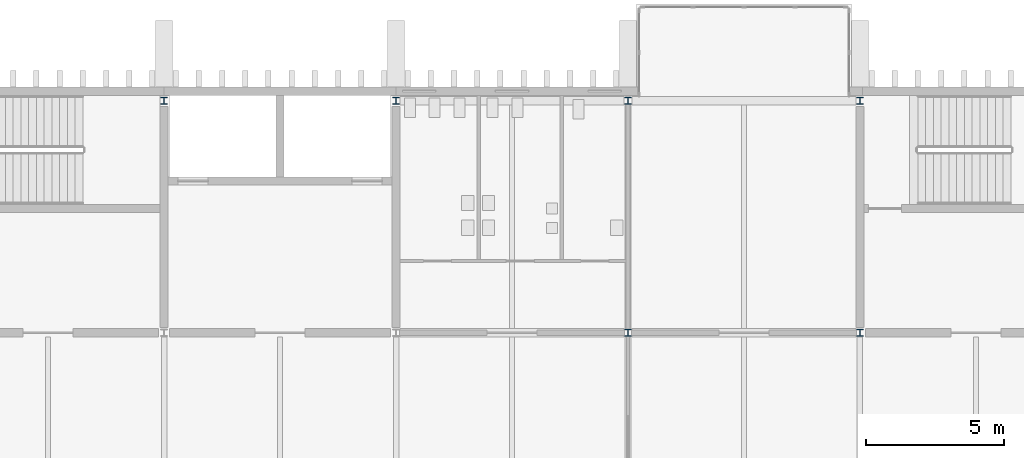
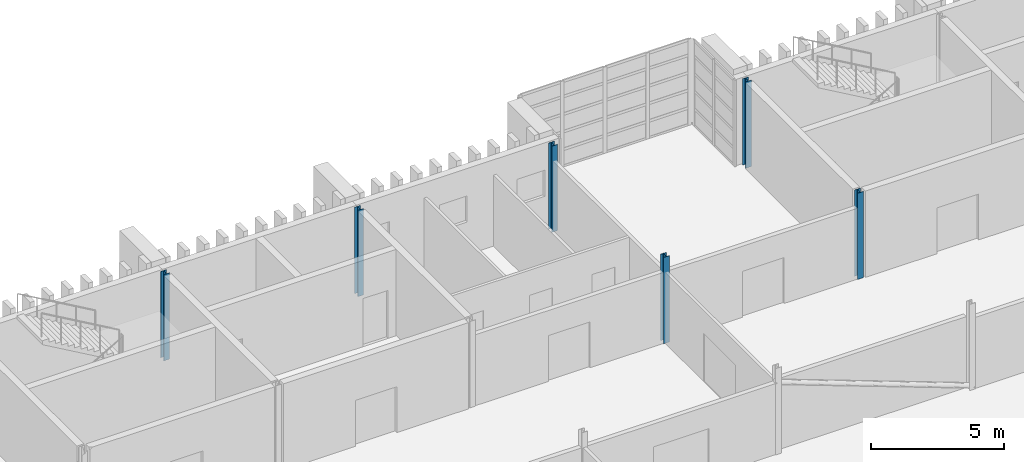
# One storey, part 9 of 88: 6 columns.
"""IFC4 building model written with IfcOpenShell, lengths in metres."""

from ifc_helpers import new_model, si_unit, direction, frame, origin, origin_2d, place, context, subcontext, project, spatial, i_section, extrude, material, material_profile, profile_set, type_object, element, save


model = new_model("IFC4")

# Units and contexts
model_context = context("Model", 3, precision=1e-05, world=origin(), true_north=direction((0.0, 1.0)))
body_context = subcontext(model_context, "Body", "Model", "MODEL_VIEW")
ifc_project = project(units=[si_unit("LENGTHUNIT", "METRE"), si_unit("AREAUNIT", "SQUARE_METRE"), si_unit("VOLUMEUNIT", "CUBIC_METRE"), si_unit("PLANEANGLEUNIT", "RADIAN"), si_unit("MASSUNIT", "GRAM", prefix="KILO")], contexts=[model_context])

# Site, building, storey
site_placement = place(None, origin())
site = spatial("IfcSite", under=ifc_project, at=site_placement, CompositionType="ELEMENT")
building_placement = place(site_placement, origin())
building = spatial("IfcBuilding", under=site, at=building_placement, Name="Cresset Court Congress Hotel", CompositionType="ELEMENT")
storey_placement = place(building_placement, frame((0.0, 0.0, 14.39990234375)))
storey = spatial("IfcBuildingStorey", under=building, at=storey_placement, Name="L03", CompositionType="ELEMENT", Elevation=14.39990234375)

# Columns
ifc_material = material(Name="Structural steel Q355B", Category="steel")
ifc_material_profile = material_profile(ifc_material, i_section(OverallWidth=0.25, OverallDepth=0.25, WebThickness=0.009033203125, FlangeThickness=0.013916015625, FilletRadius=0.012939453125, at=origin_2d()), Name="HW250x250x9x14")
ifc_profile_set = profile_set([ifc_material_profile], Name="Structural steel Q355B")
column_type = type_object("IfcColumnType", Name="Steel column HW250x250x9x14", PredefinedType="COLUMN", material=ifc_profile_set)
for number, where, z_axis, x_axis, name in (
    (1, (109.199951171875, 25.199951171875, 0.0), (0.0, 0.0, 1.0), (1.0, 0.0, 0.0), "B.col.L03.14D"),
    (2, (117.60009765625, 25.199951171875, 0.0), (0.0, 0.0, 1.0), (1.0, 0.0, 0.0), "B.col.L03.15D"),
    (3, (126.0, 16.800048828125, 0.0), (0.0, 0.0, 1.0), (1.0, 0.0, 0.0), "B.col.L03.16C"),
    (4, (126.0, 25.199951171875, 0.0), (0.0, 0.0, 1.0), (1.0, 0.0, 0.0), "B.col.L03.16D"),
    (5, (134.39990234375, 16.800048828125, 0.0), (0.0, 0.0, 1.0), (1.0, 0.0, 0.0), "B.col.L03.17C"),
    (6, (134.39990234375, 25.199951171875, 0.0), (0.0, 0.0, 1.0), (1.0, 0.0, 0.0), "B.col.L03.17D"),
):
    element("IfcColumn", number, at=place(storey_placement, frame(where, z_axis=z_axis, x_axis=x_axis)), inside=storey, type_object=column_type, Name=name, PredefinedType="COLUMN", context=body_context, shape_type="SweptSolid", body=[
        extrude(i_section(OverallWidth=0.25, OverallDepth=0.25, WebThickness=0.009033203125, FlangeThickness=0.013916015625, FilletRadius=0.012939453125, at=origin_2d()), origin(), (0.0, 0.0, 1.0), 3.9501953125),
    ])

save(model, "model.ifc")
